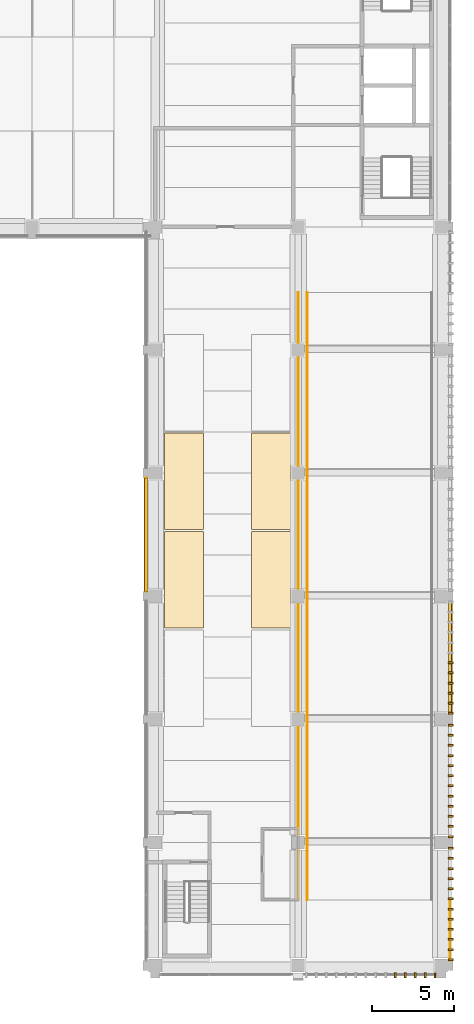
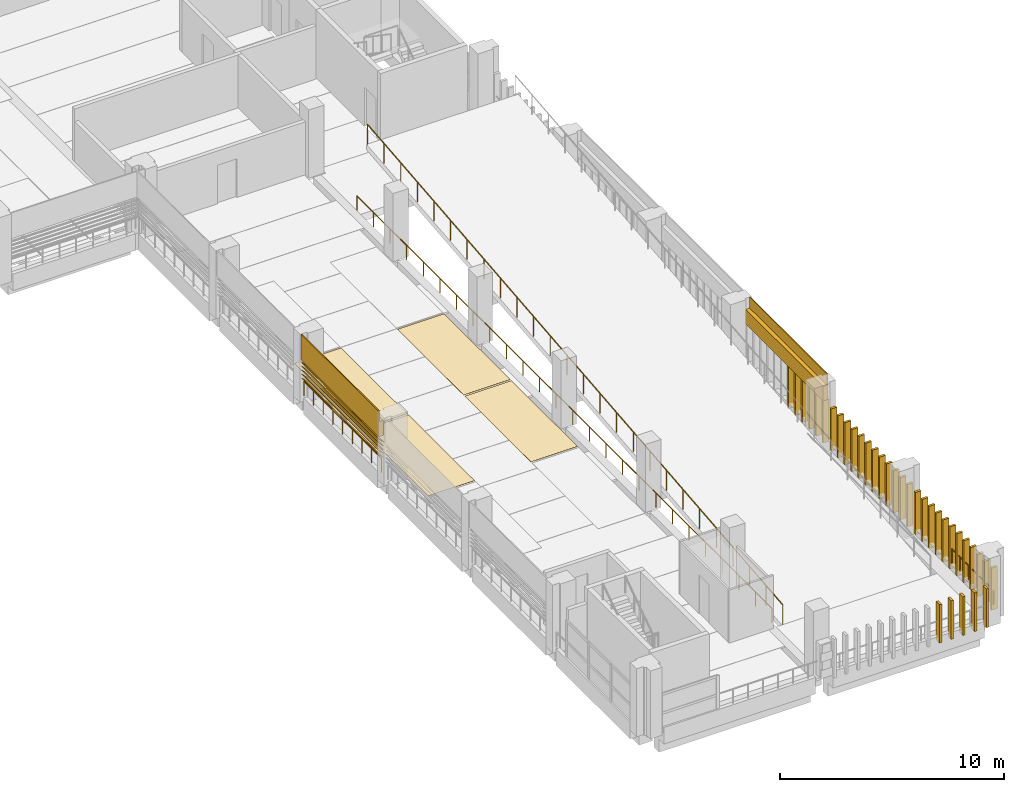
# One storey, part 52 of 61: 41 coverings, 5 shading devices, 4 railings.
"""IFC4 building model written with IfcOpenShell, lengths in metres."""

from ifc_helpers import new_model, si_unit, direction, frame, origin, origin_2d, place, context, subcontext, project, spatial, polyline, circle, outline, extrude, material, layer, layer_set, type_object, element, save


model = new_model("IFC4")

# Units and contexts
model_context = context("Model", 3, precision=1e-05, world=origin(), true_north=direction((0.0, 1.0)))
body_context = subcontext(model_context, "Body", "Model", "MODEL_VIEW")
ifc_project = project(units=[si_unit("LENGTHUNIT", "METRE"), si_unit("AREAUNIT", "SQUARE_METRE"), si_unit("VOLUMEUNIT", "CUBIC_METRE"), si_unit("PLANEANGLEUNIT", "RADIAN"), si_unit("MASSUNIT", "GRAM", prefix="KILO")], contexts=[model_context])

# Site, building, storey
site_placement = place(None, origin())
site = spatial("IfcSite", under=ifc_project, at=site_placement, CompositionType="ELEMENT")
building_placement = place(site_placement, origin())
building = spatial("IfcBuilding", under=site, at=building_placement, Name="Cour d'Honneur Mobility Palace", CompositionType="ELEMENT")
storey_placement = place(building_placement, frame((0.0, 0.0, 11.89990234375)))
storey = spatial("IfcBuildingStorey", under=building, at=storey_placement, Name="L03", CompositionType="ELEMENT", Elevation=11.89990234375)

# Railings
ifc_material_1 = material(Name="Painted steel", Category="steel")
railing_type_1 = type_object("IfcRailingType", Name="Balustrade", PredefinedType="BALUSTRADE", material=ifc_material_1)
railing_1_placement = place(storey_placement, frame((144.35009765625, 29.699951171875, 0.300048828125)))
element("IfcRailing", 1, at=railing_1_placement, inside=storey, type_object=railing_type_1, Name="Balustrade BAL-155", PredefinedType="BALUSTRADE", context=body_context, shape_type="SweptSolid", body=[
    extrude(circle(Radius=0.02392578125, at=origin_2d()), frame((0.0, 0.0, 0.77587890625), z_axis=(0.0, -1.0, 0.0), x_axis=(1.0, 0.0, 0.0)), (0.0, 0.0, 1.0), 6.89990234375),
    extrude(circle(Radius=0.02099609375, at=origin_2d()), origin(), (0.0, 0.0, 1.0), 0.751953125),
    extrude(circle(Radius=0.02099609375, at=origin_2d()), frame((0.0, -0.862548828125, 0.0)), (0.0, 0.0, 1.0), 0.751953125),
    extrude(circle(Radius=0.02099609375, at=origin_2d()), frame((0.0, -1.72509765625, 0.0)), (0.0, 0.0, 1.0), 0.751953125),
    extrude(circle(Radius=0.02099609375, at=origin_2d()), frame((0.0, -2.58740234375, 0.0)), (0.0, 0.0, 1.0), 0.751953125),
    extrude(circle(Radius=0.02099609375, at=origin_2d()), frame((0.0, -3.449951171875, 0.0)), (0.0, 0.0, 1.0), 0.751953125),
    extrude(circle(Radius=0.02099609375, at=origin_2d()), frame((0.0, -4.3125, 0.0)), (0.0, 0.0, 1.0), 0.751953125),
    extrude(circle(Radius=0.02099609375, at=origin_2d()), frame((0.0, -5.1748046875, 0.0)), (0.0, 0.0, 1.0), 0.751953125),
    extrude(circle(Radius=0.02099609375, at=origin_2d()), frame((0.0, -6.037353515625, 0.0)), (0.0, 0.0, 1.0), 0.751953125),
    extrude(circle(Radius=0.02099609375, at=origin_2d()), frame((0.0, -6.89990234375, 0.0)), (0.0, 0.0, 1.0), 0.751953125),
])
railing_2_placement = place(storey_placement, frame((162.85009765625, 0.300048828125, 0.300048828125)))
element("IfcRailing", 2, at=railing_2_placement, inside=storey, type_object=railing_type_1, Name="Balustrade BAL-161", PredefinedType="BALUSTRADE", context=body_context, shape_type="SweptSolid", body=[
    extrude(circle(Radius=0.02392578125, at=origin_2d()), frame((0.0, 0.0, 0.77587890625), z_axis=(0.0, 1.0, 0.0), x_axis=(-1.0, 0.0, 0.0)), (0.0, 0.0, 1.0), 3.699951171875),
    extrude(circle(Radius=0.02099609375, at=origin_2d()), origin(), (0.0, 0.0, 1.0), 0.751953125),
    extrude(circle(Radius=0.02099609375, at=origin_2d()), frame((0.0, 0.739990234375, 0.0)), (0.0, 0.0, 1.0), 0.751953125),
    extrude(circle(Radius=0.02099609375, at=origin_2d()), frame((0.0, 1.47998046875, 0.0)), (0.0, 0.0, 1.0), 0.751953125),
    extrude(circle(Radius=0.02099609375, at=origin_2d()), frame((0.0, 2.219970703125, 0.0)), (0.0, 0.0, 1.0), 0.751953125),
    extrude(circle(Radius=0.02099609375, at=origin_2d()), frame((0.0, 2.9599609375, 0.0)), (0.0, 0.0, 1.0), 0.751953125),
    extrude(circle(Radius=0.02099609375, at=origin_2d()), frame((0.0, 3.699951171875, 0.0)), (0.0, 0.0, 1.0), 0.751953125),
])

# Coverings
ifc_material_2 = material(Name="Parking marking paint")
ifc_layer_1 = layer(ifc_material_2, 0.0048828125)
ifc_layer_set_1 = layer_set([ifc_layer_1], Name="Parking marking paint")
covering_type_1 = type_object("IfcCoveringType", Name="Parking bay marking", PredefinedType="FLOORING", material=ifc_layer_set_1)
covering_1_placement = place(storey_placement, origin())
element("IfcCovering", 3, at=covering_1_placement, inside=storey, type_object=covering_type_1, Name="Parking bay marking L03 79", PredefinedType="FLOORING", context=body_context, shape_type="SweptSolid", body=[
    extrude(outline(polyline([(153.14990234375, 20.550048828125), (150.75, 20.550048828125), (150.75, 26.449951171875), (153.14990234375, 26.449951171875), (153.14990234375, 20.550048828125)])), origin(), (0.0, 0.0, 1.0), 0.005126953125),
])
covering_2_placement = place(storey_placement, origin())
element("IfcCovering", 4, at=covering_2_placement, inside=storey, type_object=covering_type_1, Name="Parking bay marking L03 80", PredefinedType="FLOORING", context=body_context, shape_type="SweptSolid", body=[
    extrude(outline(polyline([(153.14990234375, 26.550048828125), (150.75, 26.550048828125), (150.75, 32.449951171875), (153.14990234375, 32.449951171875), (153.14990234375, 26.550048828125)])), origin(), (0.0, 0.0, 1.0), 0.005126953125),
])
covering_3_placement = place(storey_placement, origin())
element("IfcCovering", 5, at=covering_3_placement, inside=storey, type_object=covering_type_1, Name="Parking bay marking L03 83", PredefinedType="FLOORING", context=body_context, shape_type="SweptSolid", body=[
    extrude(outline(polyline([(147.85009765625, 20.550048828125), (145.449951171875, 20.550048828125), (145.449951171875, 26.449951171875), (147.85009765625, 26.449951171875), (147.85009765625, 20.550048828125)])), origin(), (0.0, 0.0, 1.0), 0.005126953125),
])
covering_4_placement = place(storey_placement, origin())
element("IfcCovering", 6, at=covering_4_placement, inside=storey, type_object=covering_type_1, Name="Parking bay marking L03 84", PredefinedType="FLOORING", context=body_context, shape_type="SweptSolid", body=[
    extrude(outline(polyline([(147.85009765625, 26.550048828125), (145.449951171875, 26.550048828125), (145.449951171875, 32.449951171875), (147.85009765625, 32.449951171875), (147.85009765625, 26.550048828125)])), origin(), (0.0, 0.0, 1.0), 0.005126953125),
])

# Railing
ifc_material_3 = material(Name="Painted steel", Category="steel")
railing_type_2 = type_object("IfcRailingType", Name="Ramp guard 1100", PredefinedType="GUARDRAIL", material=ifc_material_3)
railing_3_placement = place(storey_placement, frame((154.14990234375, 4.0, 0.0)))
element("IfcRailing", 7, at=railing_3_placement, inside=storey, type_object=railing_type_2, Name="Ramp guard Ramp East 4", PredefinedType="GUARDRAIL", context=body_context, shape_type="SweptSolid", body=[
    extrude(circle(Radius=0.02490234375, at=origin_2d()), frame((0.0, 0.0, 1.0751953125), z_axis=(0.0, 0.995036670145, 0.099508919531), x_axis=(-1.0, 0.0, 0.0)), (0.0, 0.0, 1.0), 37.1845703125),
    extrude(circle(Radius=0.02099609375, at=origin_2d()), origin(), (0.0, 0.0, 1.0), 1.050048828125),
    extrude(circle(Radius=0.02099609375, at=origin_2d()), frame((0.0, 1.47998046875, 0.14794921875)), (0.0, 0.0, 1.0), 1.050048828125),
    extrude(circle(Radius=0.02099609375, at=origin_2d()), frame((0.0, 2.9599609375, 0.2958984375)), (0.0, 0.0, 1.0), 1.050048828125),
    extrude(circle(Radius=0.02099609375, at=origin_2d()), frame((0.0, 4.43994140625, 0.444091796875)), (0.0, 0.0, 1.0), 1.050048828125),
    extrude(circle(Radius=0.02099609375, at=origin_2d()), frame((0.0, 5.919921875, 0.592041015625)), (0.0, 0.0, 1.0), 1.050048828125),
    extrude(circle(Radius=0.02099609375, at=origin_2d()), frame((0.0, 7.39990234375, 0.739990234375)), (0.0, 0.0, 1.0), 1.050048828125),
    extrude(circle(Radius=0.02099609375, at=origin_2d()), frame((0.0, 8.8798828125, 0.887939453125)), (0.0, 0.0, 1.0), 1.050048828125),
    extrude(circle(Radius=0.02099609375, at=origin_2d()), frame((0.0, 10.360107421875, 1.0361328125)), (0.0, 0.0, 1.0), 1.050048828125),
    extrude(circle(Radius=0.02099609375, at=origin_2d()), frame((0.0, 11.840087890625, 1.18408203125)), (0.0, 0.0, 1.0), 1.050048828125),
    extrude(circle(Radius=0.02099609375, at=origin_2d()), frame((0.0, 13.320068359375, 1.33203125)), (0.0, 0.0, 1.0), 1.050048828125),
    extrude(circle(Radius=0.02099609375, at=origin_2d()), frame((0.0, 14.800048828125, 1.47998046875)), (0.0, 0.0, 1.0), 1.050048828125),
    extrude(circle(Radius=0.02099609375, at=origin_2d()), frame((0.0, 16.280029296875, 1.628173828125)), (0.0, 0.0, 1.0), 1.050048828125),
    extrude(circle(Radius=0.02099609375, at=origin_2d()), frame((0.0, 17.760009765625, 1.776123046875)), (0.0, 0.0, 1.0), 1.050048828125),
    extrude(circle(Radius=0.02099609375, at=origin_2d()), frame((0.0, 19.239990234375, 1.924072265625)), (0.0, 0.0, 1.0), 1.050048828125),
    extrude(circle(Radius=0.02099609375, at=origin_2d()), frame((0.0, 20.719970703125, 2.072021484375)), (0.0, 0.0, 1.0), 1.050048828125),
    extrude(circle(Radius=0.02099609375, at=origin_2d()), frame((0.0, 22.199951171875, 2.22021484375)), (0.0, 0.0, 1.0), 1.050048828125),
    extrude(circle(Radius=0.02099609375, at=origin_2d()), frame((0.0, 23.679931640625, 2.3681640625)), (0.0, 0.0, 1.0), 1.050048828125),
    extrude(circle(Radius=0.02099609375, at=origin_2d()), frame((0.0, 25.159912109375, 2.51611328125)), (0.0, 0.0, 1.0), 1.050048828125),
    extrude(circle(Radius=0.02099609375, at=origin_2d()), frame((0.0, 26.639892578125, 2.6640625)), (0.0, 0.0, 1.0), 1.050048828125),
    extrude(circle(Radius=0.02099609375, at=origin_2d()), frame((0.0, 28.1201171875, 2.812255859375)), (0.0, 0.0, 1.0), 1.050048828125),
    extrude(circle(Radius=0.02099609375, at=origin_2d()), frame((0.0, 29.60009765625, 2.960205078125)), (0.0, 0.0, 1.0), 1.050048828125),
    extrude(circle(Radius=0.02099609375, at=origin_2d()), frame((0.0, 31.080078125, 3.108154296875)), (0.0, 0.0, 1.0), 1.050048828125),
    extrude(circle(Radius=0.02099609375, at=origin_2d()), frame((0.0, 32.56005859375, 3.256103515625)), (0.0, 0.0, 1.0), 1.050048828125),
    extrude(circle(Radius=0.02099609375, at=origin_2d()), frame((0.0, 34.0400390625, 3.404296875)), (0.0, 0.0, 1.0), 1.050048828125),
    extrude(circle(Radius=0.02099609375, at=origin_2d()), frame((0.0, 35.52001953125, 3.55224609375)), (0.0, 0.0, 1.0), 1.050048828125),
    extrude(circle(Radius=0.02099609375, at=origin_2d()), frame((0.0, 37.0, 3.7001953125)), (0.0, 0.0, 1.0), 1.050048828125),
])

# Coverings
ifc_material_4 = material(Name="Cast limestone", Category="masonry")
ifc_layer_2 = layer(ifc_material_4, 0.1201171875)
ifc_layer_set_2 = layer_set([ifc_layer_2], Name="Cast limestone")
covering_type_2 = type_object("IfcCoveringType", Name="Ramp screen fin", PredefinedType="CLADDING", material=ifc_layer_set_2)
covering_5_placement = place(storey_placement, origin())
element("IfcCovering", 8, at=covering_5_placement, inside=storey, type_object=covering_type_2, Name="Ramp screen fin S4.1 L03 10", PredefinedType="CLADDING", context=body_context, shape_type="SweptSolid", body=[
    extrude(outline(polyline([(159.470703125, -0.449951171875), (159.5908203125, -0.449951171875), (159.5908203125, -0.75), (159.470703125, -0.75), (159.470703125, -0.449951171875)])), origin(), (0.0, 0.0, 1.0), 2.10009765625),
])
covering_6_placement = place(storey_placement, origin())
element("IfcCovering", 9, at=covering_6_placement, inside=storey, type_object=covering_type_2, Name="Ramp screen fin S4.1 L03 11", PredefinedType="CLADDING", context=body_context, shape_type="SweptSolid", body=[
    extrude(outline(polyline([(160.072998046875, -0.449951171875), (160.193115234375, -0.449951171875), (160.193115234375, -0.75), (160.072998046875, -0.75), (160.072998046875, -0.449951171875)])), origin(), (0.0, 0.0, 1.0), 2.10009765625),
])
covering_7_placement = place(storey_placement, origin())
element("IfcCovering", 10, at=covering_7_placement, inside=storey, type_object=covering_type_2, Name="Ramp screen fin S4.1 L03 12", PredefinedType="CLADDING", context=body_context, shape_type="SweptSolid", body=[
    extrude(outline(polyline([(160.67529296875, -0.449951171875), (160.79541015625, -0.449951171875), (160.79541015625, -0.75), (160.67529296875, -0.75), (160.67529296875, -0.449951171875)])), origin(), (0.0, 0.0, 1.0), 2.10009765625),
])
covering_8_placement = place(storey_placement, origin())
element("IfcCovering", 11, at=covering_8_placement, inside=storey, type_object=covering_type_2, Name="Ramp screen fin S4.1 L03 13", PredefinedType="CLADDING", context=body_context, shape_type="SweptSolid", body=[
    extrude(outline(polyline([(161.277587890625, -0.449951171875), (161.397705078125, -0.449951171875), (161.397705078125, -0.75), (161.277587890625, -0.75), (161.277587890625, -0.449951171875)])), origin(), (0.0, 0.0, 1.0), 2.10009765625),
])
covering_9_placement = place(storey_placement, origin())
element("IfcCovering", 12, at=covering_9_placement, inside=storey, type_object=covering_type_2, Name="Ramp screen fin S4.1 L03 14", PredefinedType="CLADDING", context=body_context, shape_type="SweptSolid", body=[
    extrude(outline(polyline([(161.8798828125, -0.449951171875), (162.0, -0.449951171875), (162.0, -0.75), (161.8798828125, -0.75), (161.8798828125, -0.449951171875)])), origin(), (0.0, 0.0, 1.0), 2.10009765625),
])
covering_10_placement = place(storey_placement, origin())
element("IfcCovering", 13, at=covering_10_placement, inside=storey, type_object=covering_type_2, Name="Ramp screen fin E5.0 L03 1", PredefinedType="CLADDING", context=body_context, shape_type="SweptSolid", body=[
    extrude(outline(polyline([(162.75, 0.300048828125), (162.75, 0.419921875), (163.050048828125, 0.419921875), (163.050048828125, 0.300048828125), (162.75, 0.300048828125)])), origin(), (0.0, 0.0, 1.0), 2.300048828125),
])
covering_11_placement = place(storey_placement, origin())
element("IfcCovering", 14, at=covering_11_placement, inside=storey, type_object=covering_type_2, Name="Ramp screen fin E5.0 L03 2", PredefinedType="CLADDING", context=body_context, shape_type="SweptSolid", body=[
    extrude(outline(polyline([(162.75, 0.916259765625), (162.75, 1.036376953125), (163.050048828125, 1.036376953125), (163.050048828125, 0.916259765625), (162.75, 0.916259765625)])), origin(), (0.0, 0.0, 1.0), 2.300048828125),
])
covering_12_placement = place(storey_placement, origin())
element("IfcCovering", 15, at=covering_12_placement, inside=storey, type_object=covering_type_2, Name="Ramp screen fin E5.0 L03 3", PredefinedType="CLADDING", context=body_context, shape_type="SweptSolid", body=[
    extrude(outline(polyline([(162.75, 1.53271484375), (162.75, 1.65283203125), (163.050048828125, 1.65283203125), (163.050048828125, 1.53271484375), (162.75, 1.53271484375)])), origin(), (0.0, 0.0, 1.0), 2.300048828125),
])
covering_13_placement = place(storey_placement, origin())
element("IfcCovering", 16, at=covering_13_placement, inside=storey, type_object=covering_type_2, Name="Ramp screen fin E5.0 L03 4", PredefinedType="CLADDING", context=body_context, shape_type="SweptSolid", body=[
    extrude(outline(polyline([(162.75, 2.149169921875), (162.75, 2.26904296875), (163.050048828125, 2.26904296875), (163.050048828125, 2.149169921875), (162.75, 2.149169921875)])), origin(), (0.0, 0.0, 1.0), 2.300048828125),
])
covering_14_placement = place(storey_placement, origin())
element("IfcCovering", 17, at=covering_14_placement, inside=storey, type_object=covering_type_2, Name="Ramp screen fin E5.0 L03 5", PredefinedType="CLADDING", context=body_context, shape_type="SweptSolid", body=[
    extrude(outline(polyline([(162.75, 2.765380859375), (162.75, 2.885498046875), (163.050048828125, 2.885498046875), (163.050048828125, 2.765380859375), (162.75, 2.765380859375)])), origin(), (0.0, 0.0, 1.0), 2.300048828125),
])
covering_15_placement = place(storey_placement, origin())
element("IfcCovering", 18, at=covering_15_placement, inside=storey, type_object=covering_type_2, Name="Ramp screen fin E5.0 L03 6", PredefinedType="CLADDING", context=body_context, shape_type="SweptSolid", body=[
    extrude(outline(polyline([(162.75, 3.3818359375), (162.75, 3.501708984375), (163.050048828125, 3.501708984375), (163.050048828125, 3.3818359375), (162.75, 3.3818359375)])), origin(), (0.0, 0.0, 1.0), 2.300048828125),
])
covering_16_placement = place(storey_placement, origin())
element("IfcCovering", 19, at=covering_16_placement, inside=storey, type_object=covering_type_2, Name="Ramp screen fin E5.0 L03 7", PredefinedType="CLADDING", context=body_context, shape_type="SweptSolid", body=[
    extrude(outline(polyline([(162.75, 3.998291015625), (162.75, 4.1181640625), (163.050048828125, 4.1181640625), (163.050048828125, 3.998291015625), (162.75, 3.998291015625)])), origin(), (0.0, 0.0, 1.0), 2.300048828125),
])
covering_17_placement = place(storey_placement, origin())
element("IfcCovering", 20, at=covering_17_placement, inside=storey, type_object=covering_type_2, Name="Ramp screen fin E5.0 L03 8", PredefinedType="CLADDING", context=body_context, shape_type="SweptSolid", body=[
    extrude(outline(polyline([(162.75, 4.614501953125), (162.75, 4.734619140625), (163.050048828125, 4.734619140625), (163.050048828125, 4.614501953125), (162.75, 4.614501953125)])), origin(), (0.0, 0.0, 1.0), 2.300048828125),
])
covering_18_placement = place(storey_placement, origin())
element("IfcCovering", 21, at=covering_18_placement, inside=storey, type_object=covering_type_2, Name="Ramp screen fin E5.0 L03 9", PredefinedType="CLADDING", context=body_context, shape_type="SweptSolid", body=[
    extrude(outline(polyline([(162.75, 5.23095703125), (162.75, 5.350830078125), (163.050048828125, 5.350830078125), (163.050048828125, 5.23095703125), (162.75, 5.23095703125)])), origin(), (0.0, 0.0, 1.0), 2.300048828125),
])
covering_19_placement = place(storey_placement, origin())
element("IfcCovering", 22, at=covering_19_placement, inside=storey, type_object=covering_type_2, Name="Ramp screen fin E5.0 L03 10", PredefinedType="CLADDING", context=body_context, shape_type="SweptSolid", body=[
    extrude(outline(polyline([(162.75, 5.84716796875), (162.75, 5.96728515625), (163.050048828125, 5.96728515625), (163.050048828125, 5.84716796875), (162.75, 5.84716796875)])), origin(), (0.0, 0.0, 1.0), 2.300048828125),
])
covering_20_placement = place(storey_placement, origin())
element("IfcCovering", 23, at=covering_20_placement, inside=storey, type_object=covering_type_2, Name="Ramp screen fin E5.0 L03 11", PredefinedType="CLADDING", context=body_context, shape_type="SweptSolid", body=[
    extrude(outline(polyline([(162.75, 6.463623046875), (162.75, 6.583740234375), (163.050048828125, 6.583740234375), (163.050048828125, 6.463623046875), (162.75, 6.463623046875)])), origin(), (0.0, 0.0, 1.0), 2.300048828125),
])
covering_21_placement = place(storey_placement, origin())
element("IfcCovering", 24, at=covering_21_placement, inside=storey, type_object=covering_type_2, Name="Ramp screen fin E5.0 L03 12", PredefinedType="CLADDING", context=body_context, shape_type="SweptSolid", body=[
    extrude(outline(polyline([(162.75, 7.080078125), (162.75, 7.199951171875), (163.050048828125, 7.199951171875), (163.050048828125, 7.080078125), (162.75, 7.080078125)])), origin(), (0.0, 0.0, 1.0), 2.300048828125),
])
covering_22_placement = place(storey_placement, origin())
element("IfcCovering", 25, at=covering_22_placement, inside=storey, type_object=covering_type_2, Name="Ramp screen fin E5.1 L03 1", PredefinedType="CLADDING", context=body_context, shape_type="SweptSolid", body=[
    extrude(outline(polyline([(162.75, 7.800048828125), (162.75, 7.919921875), (163.050048828125, 7.919921875), (163.050048828125, 7.800048828125), (162.75, 7.800048828125)])), origin(), (0.0, 0.0, 1.0), 2.300048828125),
])
covering_23_placement = place(storey_placement, origin())
element("IfcCovering", 26, at=covering_23_placement, inside=storey, type_object=covering_type_2, Name="Ramp screen fin E5.1 L03 2", PredefinedType="CLADDING", context=body_context, shape_type="SweptSolid", body=[
    extrude(outline(polyline([(162.75, 8.416259765625), (162.75, 8.536376953125), (163.050048828125, 8.536376953125), (163.050048828125, 8.416259765625), (162.75, 8.416259765625)])), origin(), (0.0, 0.0, 1.0), 2.300048828125),
])
covering_24_placement = place(storey_placement, origin())
element("IfcCovering", 27, at=covering_24_placement, inside=storey, type_object=covering_type_2, Name="Ramp screen fin E5.1 L03 3", PredefinedType="CLADDING", context=body_context, shape_type="SweptSolid", body=[
    extrude(outline(polyline([(162.75, 9.03271484375), (162.75, 9.15283203125), (163.050048828125, 9.15283203125), (163.050048828125, 9.03271484375), (162.75, 9.03271484375)])), origin(), (0.0, 0.0, 1.0), 2.300048828125),
])
covering_25_placement = place(storey_placement, origin())
element("IfcCovering", 28, at=covering_25_placement, inside=storey, type_object=covering_type_2, Name="Ramp screen fin E5.1 L03 4", PredefinedType="CLADDING", context=body_context, shape_type="SweptSolid", body=[
    extrude(outline(polyline([(162.75, 9.649169921875), (162.75, 9.76904296875), (163.050048828125, 9.76904296875), (163.050048828125, 9.649169921875), (162.75, 9.649169921875)])), origin(), (0.0, 0.0, 1.0), 2.300048828125),
])
covering_26_placement = place(storey_placement, origin())
element("IfcCovering", 29, at=covering_26_placement, inside=storey, type_object=covering_type_2, Name="Ramp screen fin E5.1 L03 5", PredefinedType="CLADDING", context=body_context, shape_type="SweptSolid", body=[
    extrude(outline(polyline([(162.75, 10.265380859375), (162.75, 10.385498046875), (163.050048828125, 10.385498046875), (163.050048828125, 10.265380859375), (162.75, 10.265380859375)])), origin(), (0.0, 0.0, 1.0), 2.300048828125),
])
covering_27_placement = place(storey_placement, origin())
element("IfcCovering", 30, at=covering_27_placement, inside=storey, type_object=covering_type_2, Name="Ramp screen fin E5.1 L03 6", PredefinedType="CLADDING", context=body_context, shape_type="SweptSolid", body=[
    extrude(outline(polyline([(162.75, 10.8818359375), (162.75, 11.001708984375), (163.050048828125, 11.001708984375), (163.050048828125, 10.8818359375), (162.75, 10.8818359375)])), origin(), (0.0, 0.0, 1.0), 2.300048828125),
])
covering_28_placement = place(storey_placement, origin())
element("IfcCovering", 31, at=covering_28_placement, inside=storey, type_object=covering_type_2, Name="Ramp screen fin E5.1 L03 7", PredefinedType="CLADDING", context=body_context, shape_type="SweptSolid", body=[
    extrude(outline(polyline([(162.75, 11.498291015625), (162.75, 11.6181640625), (163.050048828125, 11.6181640625), (163.050048828125, 11.498291015625), (162.75, 11.498291015625)])), origin(), (0.0, 0.0, 1.0), 2.300048828125),
])
covering_29_placement = place(storey_placement, origin())
element("IfcCovering", 32, at=covering_29_placement, inside=storey, type_object=covering_type_2, Name="Ramp screen fin E5.1 L03 8", PredefinedType="CLADDING", context=body_context, shape_type="SweptSolid", body=[
    extrude(outline(polyline([(162.75, 12.114501953125), (162.75, 12.234619140625), (163.050048828125, 12.234619140625), (163.050048828125, 12.114501953125), (162.75, 12.114501953125)])), origin(), (0.0, 0.0, 1.0), 2.300048828125),
])
covering_30_placement = place(storey_placement, origin())
element("IfcCovering", 33, at=covering_30_placement, inside=storey, type_object=covering_type_2, Name="Ramp screen fin E5.1 L03 9", PredefinedType="CLADDING", context=body_context, shape_type="SweptSolid", body=[
    extrude(outline(polyline([(162.75, 12.73095703125), (162.75, 12.850830078125), (163.050048828125, 12.850830078125), (163.050048828125, 12.73095703125), (162.75, 12.73095703125)])), origin(), (0.0, 0.0, 1.0), 2.300048828125),
])
covering_31_placement = place(storey_placement, origin())
element("IfcCovering", 34, at=covering_31_placement, inside=storey, type_object=covering_type_2, Name="Ramp screen fin E5.1 L03 10", PredefinedType="CLADDING", context=body_context, shape_type="SweptSolid", body=[
    extrude(outline(polyline([(162.75, 13.34716796875), (162.75, 13.46728515625), (163.050048828125, 13.46728515625), (163.050048828125, 13.34716796875), (162.75, 13.34716796875)])), origin(), (0.0, 0.0, 1.0), 2.300048828125),
])
covering_32_placement = place(storey_placement, origin())
element("IfcCovering", 35, at=covering_32_placement, inside=storey, type_object=covering_type_2, Name="Ramp screen fin E5.1 L03 11", PredefinedType="CLADDING", context=body_context, shape_type="SweptSolid", body=[
    extrude(outline(polyline([(162.75, 13.963623046875), (162.75, 14.083740234375), (163.050048828125, 14.083740234375), (163.050048828125, 13.963623046875), (162.75, 13.963623046875)])), origin(), (0.0, 0.0, 1.0), 2.300048828125),
])
covering_33_placement = place(storey_placement, origin())
element("IfcCovering", 36, at=covering_33_placement, inside=storey, type_object=covering_type_2, Name="Ramp screen fin E5.1 L03 12", PredefinedType="CLADDING", context=body_context, shape_type="SweptSolid", body=[
    extrude(outline(polyline([(162.75, 14.580078125), (162.75, 14.699951171875), (163.050048828125, 14.699951171875), (163.050048828125, 14.580078125), (162.75, 14.580078125)])), origin(), (0.0, 0.0, 1.0), 2.300048828125),
])
covering_34_placement = place(storey_placement, origin())
element("IfcCovering", 37, at=covering_34_placement, inside=storey, type_object=covering_type_2, Name="Ramp screen fin E5.2 L03 1", PredefinedType="CLADDING", context=body_context, shape_type="SweptSolid", body=[
    extrude(outline(polyline([(162.75, 15.300048828125), (162.75, 15.419921875), (163.050048828125, 15.419921875), (163.050048828125, 15.300048828125), (162.75, 15.300048828125)])), origin(), (0.0, 0.0, 1.0), 2.300048828125),
])
covering_35_placement = place(storey_placement, origin())
element("IfcCovering", 38, at=covering_35_placement, inside=storey, type_object=covering_type_2, Name="Ramp screen fin E5.2 L03 2", PredefinedType="CLADDING", context=body_context, shape_type="SweptSolid", body=[
    extrude(outline(polyline([(162.75, 15.916259765625), (162.75, 16.036376953125), (163.050048828125, 16.036376953125), (163.050048828125, 15.916259765625), (162.75, 15.916259765625)])), origin(), (0.0, 0.0, 1.0), 2.300048828125),
])
covering_36_placement = place(storey_placement, origin())
element("IfcCovering", 39, at=covering_36_placement, inside=storey, type_object=covering_type_2, Name="Ramp screen fin E5.2 L03 3", PredefinedType="CLADDING", context=body_context, shape_type="SweptSolid", body=[
    extrude(outline(polyline([(162.75, 16.53271484375), (162.75, 16.65283203125), (163.050048828125, 16.65283203125), (163.050048828125, 16.53271484375), (162.75, 16.53271484375)])), origin(), (0.0, 0.0, 1.0), 2.300048828125),
])
covering_37_placement = place(storey_placement, origin())
element("IfcCovering", 40, at=covering_37_placement, inside=storey, type_object=covering_type_2, Name="Ramp screen fin E5.2 L03 4", PredefinedType="CLADDING", context=body_context, shape_type="SweptSolid", body=[
    extrude(outline(polyline([(162.75, 17.149169921875), (162.75, 17.26904296875), (163.050048828125, 17.26904296875), (163.050048828125, 17.149169921875), (162.75, 17.149169921875)])), origin(), (0.0, 0.0, 1.0), 2.300048828125),
])
covering_38_placement = place(storey_placement, origin())
element("IfcCovering", 41, at=covering_38_placement, inside=storey, type_object=covering_type_2, Name="Ramp screen fin E5.2 L03 5", PredefinedType="CLADDING", context=body_context, shape_type="SweptSolid", body=[
    extrude(outline(polyline([(162.75, 17.765380859375), (162.75, 17.885498046875), (163.050048828125, 17.885498046875), (163.050048828125, 17.765380859375), (162.75, 17.765380859375)])), origin(), (0.0, 0.0, 1.0), 2.300048828125),
])
covering_39_placement = place(storey_placement, origin())
element("IfcCovering", 42, at=covering_39_placement, inside=storey, type_object=covering_type_2, Name="Ramp screen fin E5.2 L03 6", PredefinedType="CLADDING", context=body_context, shape_type="SweptSolid", body=[
    extrude(outline(polyline([(162.75, 18.3818359375), (162.75, 18.501708984375), (163.050048828125, 18.501708984375), (163.050048828125, 18.3818359375), (162.75, 18.3818359375)])), origin(), (0.0, 0.0, 1.0), 2.300048828125),
])
ifc_material_5 = material(Name="Cast limestone", Category="masonry")
ifc_layer_3 = layer(ifc_material_5, 0.25)
ifc_layer_set_3 = layer_set([ifc_layer_3], Name="Cast limestone")
covering_type_3 = type_object("IfcCoveringType", Name="Spandrel cladding", PredefinedType="CLADDING", material=ifc_layer_set_3)
for number, where, z_axis, x_axis, name in (
    (43, (144.449951171875, 29.699951171875, 2.300048828125), (0.0, 1.0, 0.0), (-1.0, 0.0, 0.0), "Spandrel cladding SK-227"),
    (44, (162.75, 15.300048828125, 2.300048828125), (0.0, -1.0, 0.0), (1.0, 0.0, 0.0), "Spandrel cladding SK-230"),
):
    element("IfcCovering", number, at=place(storey_placement, frame(where, z_axis=z_axis, x_axis=x_axis)), inside=storey, type_object=covering_type_3, Name=name, PredefinedType="CLADDING", context=body_context, shape_type="SweptSolid", body=[
        extrude(outline(polyline([(0.0, 0.0), (0.25, 0.0), (0.25, 1.400146484375), (0.199951171875, 1.400146484375), (0.199951171875, 0.800048828125), (0.0, 0.800048828125), (0.0, 0.0)])), origin(), (0.0, 0.0, -1.0), 6.89990234375),
    ])

# Shading devices
ifc_material_6 = material(Name="Terracotta", Category="masonry")
ifc_layer_4 = layer(ifc_material_6, 0.02490234375)
ifc_layer_set_4 = layer_set([ifc_layer_4], Name="Terracotta")
shading_device_type = type_object("IfcShadingDeviceType", Name="Terracotta louvre blade", PredefinedType="JALOUSIE", material=ifc_layer_set_4)
for number, where, z_axis, x_axis, name in (
    (45, (144.4560546875, 29.699951171875, 1.10009765625), (0.707106781187, 0.0, 0.707106781187), (0.0, -1.0, 0.0), "Louvre blade LV-1 W3.2 L03 1"),
    (46, (144.4560546875, 29.699951171875, 1.312255859375), (0.707106781187, 0.0, 0.707106781187), (0.0, -1.0, 0.0), "Louvre blade LV-1 W3.2 L03 2"),
    (47, (144.4560546875, 29.699951171875, 1.5244140625), (0.707106781187, 0.0, 0.707106781187), (0.0, -1.0, 0.0), "Louvre blade LV-1 W3.2 L03 3"),
    (48, (144.4560546875, 29.699951171875, 1.736572265625), (0.707106781187, 0.0, 0.707106781187), (0.0, -1.0, 0.0), "Louvre blade LV-1 W3.2 L03 4"),
):
    element("IfcShadingDevice", number, at=place(storey_placement, frame(where, z_axis=z_axis, x_axis=x_axis)), inside=storey, type_object=shading_device_type, Name=name, PredefinedType="JALOUSIE", context=body_context, shape_type="SweptSolid", body=[
        extrude(outline(polyline([(0.0, 0.0), (6.89990234375, 0.0), (6.89990234375, -0.300037008228081), (0.0, -0.300037008228081), (0.0, 0.0)])), origin(), (0.0, 0.0, -1.0), 0.02490234375),
    ])
shading_device_placement = place(storey_placement, frame((144.4560546875, 29.699951171875, 1.94873046875), z_axis=(0.706699578995, 0.0, 0.707513749017), x_axis=(0.0, -1.0, 0.0)))
element("IfcShadingDevice", 49, at=shading_device_placement, inside=storey, type_object=shading_device_type, Name="Louvre blade LV-1 W3.2 L03 5", PredefinedType="JALOUSIE", context=body_context, shape_type="SweptSolid", body=[
    extrude(outline(polyline([(0.0, 0.0), (6.89990234375, 0.0), (6.89990234375, -0.29986442442957895), (0.0, -0.29986442442957895), (0.0, 0.0)])), origin(), (0.0, 0.0, -1.0), 0.02490234375),
])

# Railing
ifc_material_7 = material(Name="Painted steel", Category="steel")
railing_type_3 = type_object("IfcRailingType", Name="Void edge guard 1100", PredefinedType="GUARDRAIL", material=ifc_material_7)
railing_4_placement = place(storey_placement, frame((153.60009765625, 4.0, 0.300048828125)))
element("IfcRailing", 50, at=railing_4_placement, inside=storey, type_object=railing_type_3, Name="Void edge guard SE L03", PredefinedType="GUARDRAIL", context=body_context, shape_type="SweptSolid", body=[
    extrude(circle(Radius=0.02490234375, at=origin_2d()), frame((0.0, 0.0, 0.77490234375), z_axis=(0.0, 1.0, 0.0), x_axis=(-1.0, 0.0, 0.0)), (0.0, 0.0, 1.0), 37.0),
    extrude(circle(Radius=0.02099609375, at=origin_2d()), origin(), (0.0, 0.0, 1.0), 0.75),
    extrude(circle(Radius=0.02099609375, at=origin_2d()), frame((0.0, 1.47998046875, 0.0)), (0.0, 0.0, 1.0), 0.75),
    extrude(circle(Radius=0.02099609375, at=origin_2d()), frame((0.0, 2.9599609375, 0.0)), (0.0, 0.0, 1.0), 0.75),
    extrude(circle(Radius=0.02099609375, at=origin_2d()), frame((0.0, 4.43994140625, 0.0)), (0.0, 0.0, 1.0), 0.75),
    extrude(circle(Radius=0.02099609375, at=origin_2d()), frame((0.0, 5.919921875, 0.0)), (0.0, 0.0, 1.0), 0.75),
    extrude(circle(Radius=0.02099609375, at=origin_2d()), frame((0.0, 7.39990234375, 0.0)), (0.0, 0.0, 1.0), 0.75),
    extrude(circle(Radius=0.02099609375, at=origin_2d()), frame((0.0, 8.8798828125, 0.0)), (0.0, 0.0, 1.0), 0.75),
    extrude(circle(Radius=0.02099609375, at=origin_2d()), frame((0.0, 10.360107421875, 0.0)), (0.0, 0.0, 1.0), 0.75),
    extrude(circle(Radius=0.02099609375, at=origin_2d()), frame((0.0, 11.840087890625, 0.0)), (0.0, 0.0, 1.0), 0.75),
    extrude(circle(Radius=0.02099609375, at=origin_2d()), frame((0.0, 13.320068359375, 0.0)), (0.0, 0.0, 1.0), 0.75),
    extrude(circle(Radius=0.02099609375, at=origin_2d()), frame((0.0, 14.800048828125, 0.0)), (0.0, 0.0, 1.0), 0.75),
    extrude(circle(Radius=0.02099609375, at=origin_2d()), frame((0.0, 16.280029296875, 0.0)), (0.0, 0.0, 1.0), 0.75),
    extrude(circle(Radius=0.02099609375, at=origin_2d()), frame((0.0, 17.760009765625, 0.0)), (0.0, 0.0, 1.0), 0.75),
    extrude(circle(Radius=0.02099609375, at=origin_2d()), frame((0.0, 19.239990234375, 0.0)), (0.0, 0.0, 1.0), 0.75),
    extrude(circle(Radius=0.02099609375, at=origin_2d()), frame((0.0, 20.719970703125, 0.0)), (0.0, 0.0, 1.0), 0.75),
    extrude(circle(Radius=0.02099609375, at=origin_2d()), frame((0.0, 22.199951171875, 0.0)), (0.0, 0.0, 1.0), 0.75),
    extrude(circle(Radius=0.02099609375, at=origin_2d()), frame((0.0, 23.679931640625, 0.0)), (0.0, 0.0, 1.0), 0.75),
    extrude(circle(Radius=0.02099609375, at=origin_2d()), frame((0.0, 25.159912109375, 0.0)), (0.0, 0.0, 1.0), 0.75),
    extrude(circle(Radius=0.02099609375, at=origin_2d()), frame((0.0, 26.639892578125, 0.0)), (0.0, 0.0, 1.0), 0.75),
    extrude(circle(Radius=0.02099609375, at=origin_2d()), frame((0.0, 28.1201171875, 0.0)), (0.0, 0.0, 1.0), 0.75),
    extrude(circle(Radius=0.02099609375, at=origin_2d()), frame((0.0, 29.60009765625, 0.0)), (0.0, 0.0, 1.0), 0.75),
    extrude(circle(Radius=0.02099609375, at=origin_2d()), frame((0.0, 31.080078125, 0.0)), (0.0, 0.0, 1.0), 0.75),
    extrude(circle(Radius=0.02099609375, at=origin_2d()), frame((0.0, 32.56005859375, 0.0)), (0.0, 0.0, 1.0), 0.75),
    extrude(circle(Radius=0.02099609375, at=origin_2d()), frame((0.0, 34.0400390625, 0.0)), (0.0, 0.0, 1.0), 0.75),
    extrude(circle(Radius=0.02099609375, at=origin_2d()), frame((0.0, 35.52001953125, 0.0)), (0.0, 0.0, 1.0), 0.75),
    extrude(circle(Radius=0.02099609375, at=origin_2d()), frame((0.0, 37.0, 0.0)), (0.0, 0.0, 1.0), 0.75),
])

save(model, "model.ifc")
